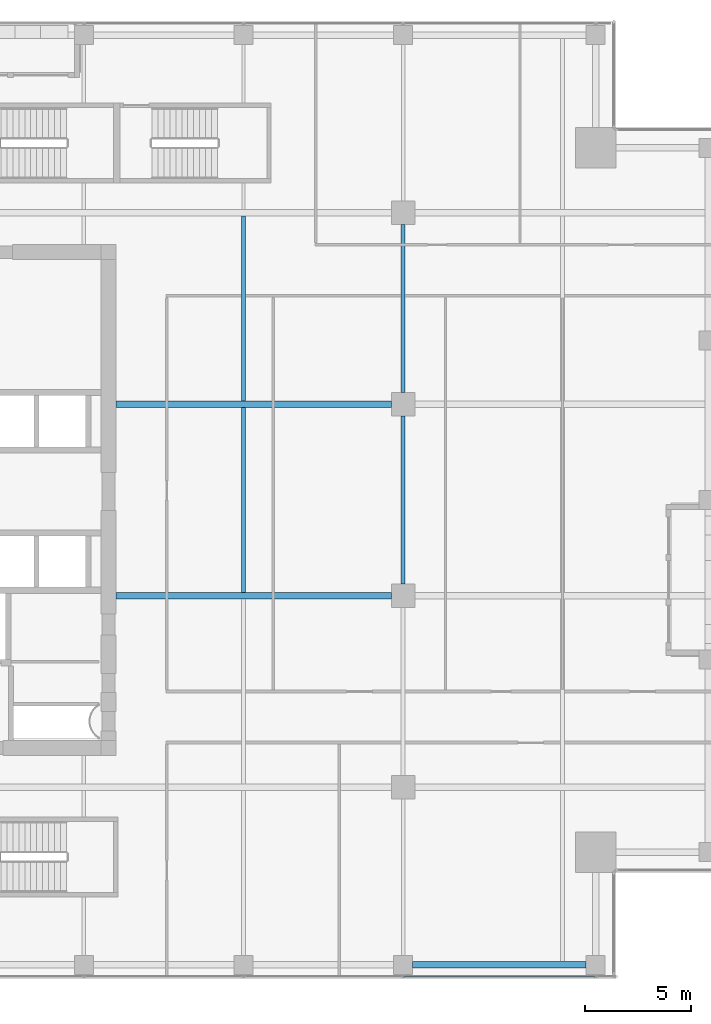
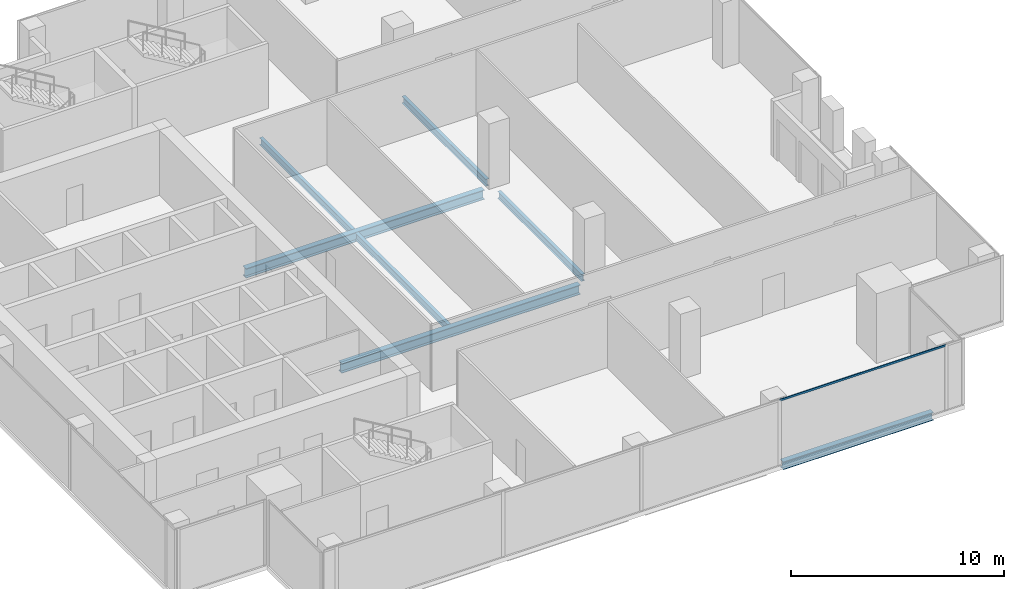
# One storey, part 9 of 35: 7 beams, 1 member, 1 element without a shape of its own.
"""IFC4 building model written with IfcOpenShell, lengths in metres."""

from ifc_helpers import new_model, si_unit, direction, frame, origin, origin_2d, place, context, subcontext, project, spatial, hollow_rectangle, i_section, extrude, source, transform, mapped, material, material_profile, profile_set, type_object, element, aggregate, save


model = new_model("IFC4")

# Units and contexts
model_context = context("Model", 3, precision=1e-05, world=origin(), true_north=direction((0.0, 1.0)))
body_context = subcontext(model_context, "Body", "Model", "MODEL_VIEW")
ifc_project = project(units=[si_unit("LENGTHUNIT", "METRE"), si_unit("AREAUNIT", "SQUARE_METRE"), si_unit("VOLUMEUNIT", "CUBIC_METRE"), si_unit("PLANEANGLEUNIT", "RADIAN"), si_unit("MASSUNIT", "GRAM", prefix="KILO")], contexts=[model_context])

# Site, building, storey
site_placement = place(None, origin())
site = spatial("IfcSite", under=ifc_project, at=site_placement, CompositionType="ELEMENT")
building_placement = place(site_placement, origin())
building = spatial("IfcBuilding", under=site, at=building_placement, Name="Khomas Fold Tower", CompositionType="ELEMENT")
storey_placement = place(building_placement, frame((0.0, 0.0, 262.199951171875)))
storey = spatial("IfcBuildingStorey", under=building, at=storey_placement, Name="L59", CompositionType="ELEMENT", Elevation=262.199951171875)

# Beams
ifc_material_1 = material(Name="Steel S355", Category="steel")
ifc_material_profile_1 = material_profile(ifc_material_1, i_section(OverallWidth=0.179931640625, OverallDepth=0.39990234375, WebThickness=0.008544921875, FlangeThickness=0.013427734375, at=origin_2d()), Name="IPE 400")
ifc_profile_set_1 = profile_set([ifc_material_profile_1], Name="Steel S355")
beam_type_1 = type_object("IfcBeamType", Name="IPE 400 beam JB3", PredefinedType="BEAM", material=ifc_profile_set_1)
shared_shape_1 = source(origin(), body_context, "Body", "SweptSolid", [
    extrude(i_section(OverallWidth=0.179931640625, OverallDepth=0.39990234375, WebThickness=0.008544921875, FlangeThickness=0.013427734375, at=origin_2d()), origin(), (0.0, 0.0, 1.0), 8.7001953125),
])
for number, where, z_axis, x_axis, name in (
    (1, (27.0, 22.64990234375, -0.449951171875), (0.0, 1.0, 0.0), (-1.0, 0.0, 0.0), "JB3"),
    (2, (27.0, 31.64990234375, -0.449951171875), (0.0, 1.0, 0.0), (-1.0, 0.0, 0.0), "JB3"),
):
    element("IfcBeam", number, at=place(storey_placement, frame(where, z_axis=z_axis, x_axis=x_axis)), inside=storey, type_object=beam_type_1, Name=name, PredefinedType="BEAM", context=body_context, shape_type="MappedRepresentation", body=[
        mapped(shared_shape_1, transform((0.0, 0.0, 0.0))),
    ])
ifc_material_2 = material(Name="Steel S355", Category="steel")
ifc_material_profile_2 = material_profile(ifc_material_2, i_section(OverallWidth=0.300048828125, OverallDepth=0.449951171875, WebThickness=0.013916015625, FlangeThickness=0.02587890625, at=origin_2d()), Name="HE 450 B")
ifc_profile_set_2 = profile_set([ifc_material_profile_2], Name="Steel S355")
beam_type_2 = type_object("IfcBeamType", Name="HE 450 B spandrel SB4", PredefinedType="SPANDREL", material=ifc_profile_set_2)
shared_shape_2 = source(origin(), body_context, "Body", "SweptSolid", [
    extrude(i_section(OverallWidth=0.300048828125, OverallDepth=0.449951171875, WebThickness=0.013916015625, FlangeThickness=0.02587890625, at=origin_2d()), origin(), (0.0, 0.0, 1.0), 8.150146484375),
])
beam_placement = place(storey_placement, frame((34.949951171875, 5.14990234375, -0.474853515625), z_axis=(1.0, 0.0, 0.0), x_axis=(0.0, 1.0, 0.0)))
element("IfcBeam", 3, at=beam_placement, inside=storey, type_object=beam_type_2, Name="SB4", PredefinedType="SPANDREL", context=body_context, shape_type="MappedRepresentation", body=[
    mapped(shared_shape_2, transform((0.0, 0.0, 0.0))),
])
ifc_material_3 = material(Name="Steel S355", Category="steel")
ifc_material_profile_3 = material_profile(ifc_material_3, i_section(OverallWidth=0.300048828125, OverallDepth=0.550048828125, WebThickness=0.014892578125, FlangeThickness=0.029052734375, at=origin_2d()), Name="HE 550 B")
ifc_profile_set_3 = profile_set([ifc_material_profile_3], Name="Steel S355")
beam_type_3 = type_object("IfcBeamType", Name="HE 550 B beam GB4", PredefinedType="BEAM", material=ifc_profile_set_3)
shared_shape_3 = source(origin(), body_context, "Body", "SweptSolid", [
    extrude(i_section(OverallWidth=0.300048828125, OverallDepth=0.550048828125, WebThickness=0.014892578125, FlangeThickness=0.029052734375, at=origin_2d()), origin(), (0.0, 0.0, 1.0), 12.949951171875),
])
for number, where, z_axis, x_axis, name in (
    (4, (21.0, 22.5, -0.52490234375), (1.0, 0.0, 0.0), (0.0, 1.0, 0.0), "GB4"),
    (5, (21.0, 31.5, -0.52490234375), (1.0, 0.0, 0.0), (0.0, 1.0, 0.0), "GB4"),
):
    element("IfcBeam", number, at=place(storey_placement, frame(where, z_axis=z_axis, x_axis=x_axis)), inside=storey, type_object=beam_type_3, Name=name, PredefinedType="BEAM", context=body_context, shape_type="MappedRepresentation", body=[
        mapped(shared_shape_3, transform((0.0, 0.0, 0.0))),
    ])
shared_shape_4 = source(origin(), body_context, "Body", "SweptSolid", [
    extrude(i_section(OverallWidth=0.179931640625, OverallDepth=0.39990234375, WebThickness=0.008544921875, FlangeThickness=0.013427734375, at=origin_2d()), origin(), (0.0, 0.0, 1.0), 7.89990234375),
])
for number, where, z_axis, x_axis, name in (
    (6, (34.5, 23.050048828125, -0.449951171875), (0.0, 1.0, 0.0), (-1.0, 0.0, 0.0), "JB3"),
    (7, (34.5, 32.050048828125, -0.449951171875), (0.0, 1.0, 0.0), (-1.0, 0.0, 0.0), "JB3"),
):
    element("IfcBeam", number, at=place(storey_placement, frame(where, z_axis=z_axis, x_axis=x_axis)), inside=storey, type_object=beam_type_1, Name=name, PredefinedType="BEAM", context=body_context, shape_type="MappedRepresentation", body=[
        mapped(shared_shape_4, transform((0.0, 0.0, 0.0))),
    ])

# Curtain wall, member
ifc_material_4 = material(Name="Aluminium framed double glazing", Category="aluminium")
curtain_wall_type = type_object("IfcCurtainWallType", Name="SK-Unitised clear-glass wall, office floors CW2", PredefinedType="NOTDEFINED", material=ifc_material_4)
curtain_wall_placement = place(storey_placement, origin())
curtain_wall = element("IfcCurtainWall", 8, at=curtain_wall_placement, inside=storey, type_object=curtain_wall_type, Name="CW2 run L59 00-0", PredefinedType="NOTDEFINED")
ifc_material_5 = material(Name="Aluminium", Category="aluminium")
ifc_material_profile_4 = material_profile(ifc_material_5, hollow_rectangle(XDim=0.050048828125, YDim=0.110107421875, WallThickness=0.00390625, at=origin_2d()), Name="SK-Unitised clear-glass wall, office floors transom CW2-T")
ifc_profile_set_4 = profile_set([ifc_material_profile_4], Name="Aluminium")
member_type = type_object("IfcMemberType", Name="SK-Unitised clear-glass wall, office floors transom CW2-T", PredefinedType="USERDEFINED", material=ifc_profile_set_4)
shared_shape_5 = source(origin(), body_context, "Body", "SweptSolid", [
    extrude(hollow_rectangle(XDim=0.050048828125, YDim=0.110107421875, WallThickness=0.00390625, at=origin_2d()), origin(), (0.0, 0.0, 1.0), 8.989990234375),
])
member_placement = place(storey_placement, frame((34.530029296875, 4.60009765625, 3.695068359375), z_axis=(1.0, 0.0, 0.0), x_axis=(0.0, 1.0, 0.0)))
member = element("IfcMember", 9, at=member_placement, type_object=member_type, Name="CW2 transom 5", ObjectType="TRANSOM", PredefinedType="USERDEFINED", context=body_context, shape_type="MappedRepresentation", body=[
    mapped(shared_shape_5, transform((0.0, 0.0, 0.0))),
])
aggregate(curtain_wall, [member])

save(model, "model.ifc")
